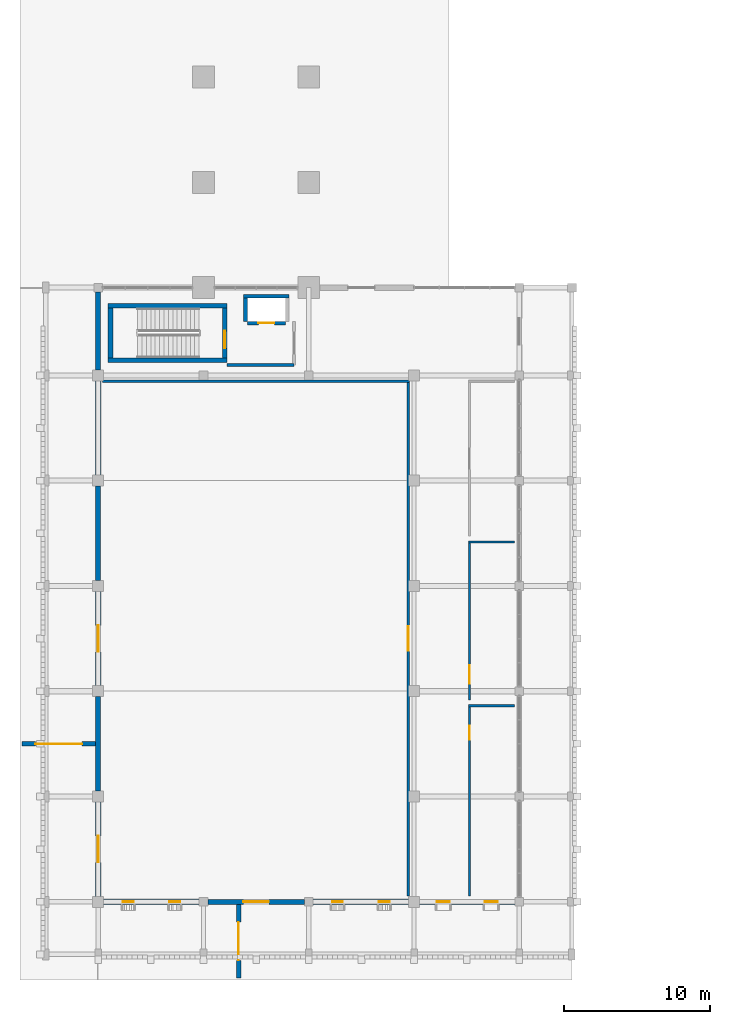
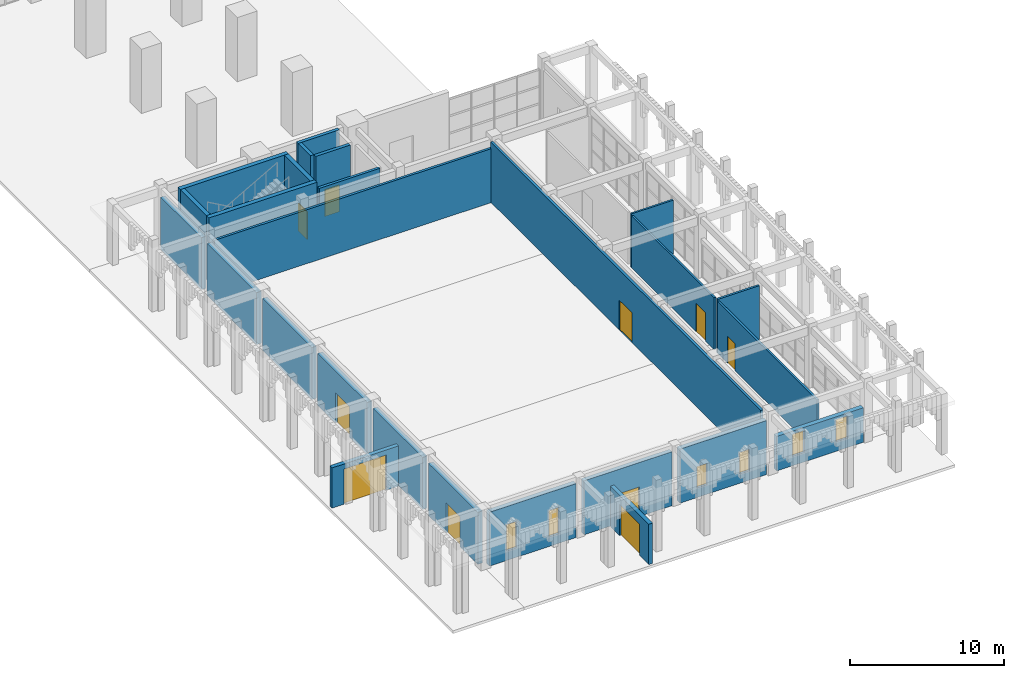
# One storey, part 35 of 72: 26 walls, 10 doors, 6 windows, 16 openings.
"""IFC4 building model written with IfcOpenShell, lengths in metres."""

import ifcopenshell
import ifcopenshell.guid

model = None  # the IFC model being written
_history = None  # IfcOwnerHistory: only IFC2X3 demands one
_inside = {}  # id of a spatial element -> (the spatial element, [elements in it])
_under = {}  # id of a project, library or spatial element -> (it, [spatial elements below it])
_declared = {}  # id of a project -> (the project, [libraries it declares])
_typed = {}  # id of a type object -> (the type object, [elements of that type])
_made_of = {}  # id of a material, layer set ... -> (it, [elements and type objects made of it])


def new_model(schema):
    """Start an empty IFC model of exactly this schema.

    Asked for "IFC4X3", IfcOpenShell would pick the latest addendum, in which some entities
    have other attributes; the version numbers below select the first issue.
    IFC2X3 requires an IfcOwnerHistory on every rooted entity: one is made here for all.
    """
    global model, _history
    if schema == "IFC4X3":
        model = ifcopenshell.file(schema_version=(4, 3, 0, 0))
    else:
        model = ifcopenshell.file(schema=schema)
    _inside.clear()
    _under.clear()
    _declared.clear()
    _typed.clear()
    _made_of.clear()
    _history = None
    if model.schema == "IFC2X3":
        org = make("IfcOrganization", Name="unknown")
        user = make(
            "IfcPersonAndOrganization",
            ThePerson=make("IfcPerson", FamilyName="unknown"),
            TheOrganization=org,
        )
        app = make(
            "IfcApplication",
            ApplicationDeveloper=org,
            Version="unknown",
            ApplicationFullName="unknown",
            ApplicationIdentifier="unknown",
        )
        _history = make(
            "IfcOwnerHistory",
            OwningUser=user,
            OwningApplication=app,
            ChangeAction="ADDED",
            CreationDate=0,
        )
    return model


def make(cls, **values):
    """One entity of the class cls with the attributes given. An attribute that is None is left unset."""
    return model.create_entity(
        cls, **{name: value for name, value in values.items() if value is not None}
    )


def rooted(cls, **values):
    """An entity with a GlobalId (a new one), such as an element, a storey or a relation."""
    return make(cls, GlobalId=ifcopenshell.guid.new(), OwnerHistory=_history, **values)


def si_unit(unit_type, name, prefix=None):
    """IfcSIUnit, for example si_unit("LENGTHUNIT", "METRE", prefix="MILLI")."""
    return make("IfcSIUnit", UnitType=unit_type, Prefix=prefix, Name=name)


def assignment(units):
    """IfcUnitAssignment: the units of a project."""
    return None if units is None else make("IfcUnitAssignment", Units=units)


def point(xyz):
    """IfcCartesianPoint."""
    return None if xyz is None else make("IfcCartesianPoint", Coordinates=xyz)


def direction(xyz):
    """IfcDirection."""
    return None if xyz is None else make("IfcDirection", DirectionRatios=xyz)


def frame(location, z_axis=None, x_axis=None):
    """IfcAxis2Placement3D, a coordinate frame: its origin and axes. An axis left out is left unset."""
    return make(
        "IfcAxis2Placement3D",
        Location=point(location),
        Axis=direction(z_axis),
        RefDirection=direction(x_axis),
    )


def frame_2d(location, x_axis=None):
    """IfcAxis2Placement2D, a coordinate frame in the plane: its origin and x axis."""
    return make(
        "IfcAxis2Placement2D", Location=point(location), RefDirection=direction(x_axis)
    )


def origin():
    """The frame at (0, 0, 0) with its axes left unset."""
    return frame((0.0, 0.0, 0.0))


def place(relative_to, where):
    """IfcLocalPlacement: puts the frame where relative to a parent placement (None: the world)."""
    return make(
        "IfcLocalPlacement", PlacementRelTo=relative_to, RelativePlacement=where
    )


def context(
    kind, dimensions, precision=None, world=None, true_north=None, identifier=None
):
    """IfcGeometricRepresentationContext, for example the 3D "Model" context."""
    return make(
        "IfcGeometricRepresentationContext",
        ContextIdentifier=identifier,
        ContextType=kind,
        CoordinateSpaceDimension=dimensions,
        Precision=precision,
        WorldCoordinateSystem=world,
        TrueNorth=true_north,
    )


def subcontext(parent, identifier, kind, view, scale=None):
    """IfcGeometricRepresentationSubContext, for example "Body" below "Model"."""
    return make(
        "IfcGeometricRepresentationSubContext",
        ContextIdentifier=identifier,
        ContextType=kind,
        ParentContext=parent,
        TargetScale=scale,
        TargetView=view,
    )


def project(units=None, contexts=None):
    """IfcProject with its units and contexts."""
    return rooted(
        "IfcProject",
        Name="project",
        RepresentationContexts=contexts,
        UnitsInContext=assignment(units),
    )


def spatial(cls, under=None, at=None, **own):
    """A site, building, storey or space (cls), placed at a placement, below another one or the project."""
    s = rooted(cls, ObjectPlacement=at, **own)
    if under is not None:
        _under.setdefault(under.id(), (under, []))[1].append(s)
    return s


def profile(cls, at=None, kind="AREA", **sizes):
    """A parametric profile (cls). Its sizes go by their IFC names, for example OverallWidth=200.0."""
    return make(cls, ProfileType=kind, Position=at, **sizes)


def rectangle(**sizes):
    """IfcRectangleProfileDef."""
    return profile("IfcRectangleProfileDef", **sizes)


def extrude(swept, where, along, depth):
    """IfcExtrudedAreaSolid: the profile swept, set in the frame where, extruded along a direction by depth."""
    return make(
        "IfcExtrudedAreaSolid",
        SweptArea=swept,
        Position=where,
        ExtrudedDirection=direction(along),
        Depth=depth,
    )


def shape(context_of_items, identifier, shape_type, items):
    """IfcShapeRepresentation: the items that make up one representation, for example the "Body"."""
    return make(
        "IfcShapeRepresentation",
        ContextOfItems=context_of_items,
        RepresentationIdentifier=identifier,
        RepresentationType=shape_type,
        Items=items,
    )


def material(Name=None, Category=None):
    """IfcMaterial."""
    return make("IfcMaterial", Name=Name, Category=Category)


def layer(
    of_material, thickness, ventilated=None, Name=None, Category=None, Priority=None
):
    """IfcMaterialLayer: one layer of a wall or slab, of a material (None: an air gap)."""
    return make(
        "IfcMaterialLayer",
        Material=of_material,
        LayerThickness=thickness,
        IsVentilated=ventilated,
        Name=Name,
        Category=Category,
        Priority=Priority,
    )


def layer_set(layers, Name=None):
    """IfcMaterialLayerSet."""
    return make("IfcMaterialLayerSet", MaterialLayers=layers, LayerSetName=Name)


def made_of(thing, what):
    """Note that an element or type object is made of a material, layer set ...; save() writes the relation."""
    if what is not None:
        _made_of.setdefault(what.id(), (what, []))[1].append(thing)
    return thing


def type_object(cls, material=None, **own):
    """A type object (cls), such as IfcWallType, which elements share."""
    return made_of(rooted(cls, **own), material)


def element(
    cls,
    number,
    at=None,
    inside=None,
    cuts=None,
    type_object=None,
    material=None,
    context=None,
    identifier="Body",
    shape_type=None,
    held_by="IfcProductDefinitionShape",
    body=None,
    shapes=None,
    **own,
):
    """One element of the class cls, such as IfcWall. Its Tag is "e" and its number.

    at: its placement. inside: the storey or other place that contains it. cuts: it is an
    opening in that element (IfcRelVoidsElement). A single representation is given by context,
    identifier, shape_type and body (its items); several are given by shapes. held_by: the class
    of the entity that holds the representations. save() writes the other relations.
    """
    e = rooted(cls, Tag="e%d" % number, ObjectPlacement=at, **own)
    if body is not None:
        shapes = [shape(context, identifier, shape_type, body)]
    if shapes is not None:
        e.Representation = make(held_by, Representations=shapes)
    if inside is not None:
        _inside.setdefault(inside.id(), (inside, []))[1].append(e)
    if cuts is not None:
        rooted(
            "IfcRelVoidsElement", RelatingBuildingElement=cuts, RelatedOpeningElement=e
        )
    if type_object is not None:
        _typed.setdefault(type_object.id(), (type_object, []))[1].append(e)
    return made_of(e, material)


def fill(opening, filler):
    """IfcRelFillsElement: the door or window that sits in an opening."""
    return rooted(
        "IfcRelFillsElement",
        RelatingOpeningElement=opening,
        RelatedBuildingElement=filler,
    )


def aggregate(whole, parts):
    """IfcRelAggregates: a whole, such as a stair, and the parts it consists of."""
    return rooted("IfcRelAggregates", RelatingObject=whole, RelatedObjects=parts)


def save(model, path):
    """Write the relations noted so far, then the file.

    IfcRelAggregates (storeys below a building ...), IfcRelContainedInSpatialStructure (elements
    in a storey), IfcRelDefinesByType, IfcRelAssociatesMaterial and IfcRelDeclares: one each for
    every whole, place, type object, material and project.
    """
    for whole, parts in _under.values():
        aggregate(whole, parts)
    for where, things in _inside.values():
        rooted(
            "IfcRelContainedInSpatialStructure",
            RelatedElements=things,
            RelatingStructure=where,
        )
    for kind, things in _typed.values():
        rooted("IfcRelDefinesByType", RelatedObjects=things, RelatingType=kind)
    for what, things in _made_of.values():
        rooted("IfcRelAssociatesMaterial", RelatedObjects=things, RelatingMaterial=what)
    for by, libraries in _declared.values():
        rooted("IfcRelDeclares", RelatingContext=by, RelatedDefinitions=libraries)
    model.write(path)


model = new_model("IFC4")

# Units and contexts
model_context = context("Model", 3, precision=1e-05, world=origin(), true_north=direction((0.0, 1.0)))
body_context = subcontext(model_context, "Body", "Model", "MODEL_VIEW")
ifc_project = project(units=[si_unit("LENGTHUNIT", "METRE"), si_unit("AREAUNIT", "SQUARE_METRE"), si_unit("VOLUMEUNIT", "CUBIC_METRE"), si_unit("PLANEANGLEUNIT", "RADIAN"), si_unit("MASSUNIT", "GRAM", prefix="KILO")], contexts=[model_context])

# Site, building, storey
site_placement = place(None, origin())
site = spatial("IfcSite", under=ifc_project, at=site_placement, CompositionType="ELEMENT")
building_placement = place(site_placement, origin())
building = spatial("IfcBuilding", under=site, at=building_placement, Name="Nzembalo Square Collegiate School", CompositionType="ELEMENT")
storey_placement = place(building_placement, origin())
storey = spatial("IfcBuildingStorey", under=building, at=storey_placement, Name="L00", CompositionType="ELEMENT", Elevation=0.0)

# Walls
ifc_material_1 = material(Name="Concrete C40/50", Category="concrete")
ifc_layer_1 = layer(ifc_material_1, 0.320068359375, Name="Concrete C40/50")
ifc_layer_set_1 = layer_set([ifc_layer_1], Name="Concrete C40/50")
wall_type_1 = type_object("IfcWallType", Name="SW01", PredefinedType="SHEAR", material=ifc_layer_set_1)
wall_1_placement = place(storey_placement, frame((9.239990234375, 45.60009765625, 0.0), z_axis=(0.0, 0.0, 1.0), x_axis=(0.0, 1.0, 0.0)))
element("IfcWall", 1, at=wall_1_placement, inside=storey, type_object=wall_type_1, Name="Core C1 stair shear wall W L00", PredefinedType="SHEAR", context=body_context, shape_type="SweptSolid", body=[
    extrude(rectangle(XDim=3.39990234375, YDim=0.320068359375, at=frame_2d((1.699951171875, 0.0))), origin(), (0.0, 0.0, 1.0), 5.10009765625),
])
for number, where, z_axis, x_axis, name in (
    (2, (9.080078125, 45.43994140625, 0.0), (0.0, 0.0, 1.0), (1.0, 0.0, 0.0), "Core C1 stair shear wall S L00"),
    (3, (9.080078125, 49.159912109375, 0.0), (0.0, 0.0, 1.0), (1.0, 0.0, 0.0), "Core C1 stair shear wall N L00"),
):
    element("IfcWall", number, at=place(storey_placement, frame(where, z_axis=z_axis, x_axis=x_axis)), inside=storey, type_object=wall_type_1, Name=name, PredefinedType="SHEAR", context=body_context, shape_type="SweptSolid", body=[
        extrude(rectangle(XDim=8.139892578125, YDim=0.320068359375, at=frame_2d((4.06982421875, 0.0))), origin(), (0.0, 0.0, 1.0), 5.10009765625),
    ])

# Wall, opening, door
wall_2_placement = place(storey_placement, frame((17.06005859375, 45.60009765625, 0.0), z_axis=(0.0, 0.0, 1.0), x_axis=(0.0, 1.0, 0.0)))
wall_2 = element("IfcWall", 4, at=wall_2_placement, inside=storey, type_object=wall_type_1, Name="Core C1 stair shear wall E L00", PredefinedType="SHEAR", context=body_context, shape_type="SweptSolid", body=[
    extrude(rectangle(XDim=3.39990234375, YDim=0.320068359375, at=frame_2d((1.699951171875, 0.0))), origin(), (0.0, 0.0, 1.0), 5.10009765625),
])
opening_1_placement = place(wall_2_placement, frame((0.64990234375, 0.0, 0.0)))
opening_1 = element("IfcOpeningElement", 5, at=opening_1_placement, cuts=wall_2, Name="Opening FD-003", PredefinedType="OPENING", context=body_context, shape_type="SweptSolid", body=[
    extrude(rectangle(XDim=1.199951171875, YDim=2.199951171875, at=frame_2d((0.60009765625, 1.10009765625))), frame((0.0, 0.169921875, 0.0), z_axis=(0.0, -1.0, 0.0), x_axis=(1.0, 0.0, 0.0)), (0.0, 0.0, 1.0), 0.340087890625),
])
ifc_material_2 = material(Name="Fire-rated steel acoustic door", Category="steel")
door_type_1 = type_object("IfcDoorType", Name="FD01", OperationType="NOTDEFINED", PredefinedType="DOOR", material=ifc_material_2)
door_1_placement = place(opening_1_placement, frame((1.199951171875, 0.0, 0.0), z_axis=(0.0, 0.0, 1.0), x_axis=(-1.0, 0.0, 0.0)))
door_1 = element("IfcDoor", 6, at=door_1_placement, inside=storey, type_object=door_type_1, Name="Stair fire door FD-003", OperationType="SINGLE_SWING_LEFT", OverallHeight=2.199951171875, OverallWidth=1.199951171875, PredefinedType="DOOR", context=body_context, shape_type="SweptSolid", body=[
    extrude(rectangle(XDim=1.199951171875, YDim=2.199951171875, at=frame_2d((0.60009765625, 1.10009765625))), frame((0.0, 0.02490234375, 0.0), z_axis=(0.0, -1.0, 0.0), x_axis=(1.0, 0.0, 0.0)), (0.0, 0.0, 1.0), 0.050048828125),
])
fill(opening_1, door_1)

# Walls
ifc_material_3 = material(Name="Concrete C35/45", Category="concrete")
ifc_layer_2 = layer(ifc_material_3, 0.25, Name="Concrete C35/45")
ifc_layer_set_2 = layer_set([ifc_layer_2], Name="Concrete C35/45")
wall_type_2 = type_object("IfcWallType", Name="SW05", PredefinedType="SHEAR", material=ifc_layer_set_2)
wall_3_placement = place(storey_placement, frame((18.47509765625, 48.10009765625, 0.0), z_axis=(0.0, 0.0, 1.0), x_axis=(0.0, 1.0, 0.0)))
element("IfcWall", 7, at=wall_3_placement, inside=storey, type_object=wall_type_2, Name="Lift LF1 shaft wall W L00", PredefinedType="SHEAR", context=body_context, shape_type="SweptSolid", body=[
    extrude(rectangle(XDim=1.599853515625, YDim=0.25, at=frame_2d((0.7998046875, 0.0))), origin(), (0.0, 0.0, 1.0), 5.10009765625),
])
wall_4_placement = place(storey_placement, frame((18.35009765625, 49.824951171875, 0.0), z_axis=(0.0, 0.0, 1.0), x_axis=(1.0, 0.0, 0.0)))
element("IfcWall", 8, at=wall_4_placement, inside=storey, type_object=wall_type_2, Name="Lift LF1 shaft wall N L00", PredefinedType="SHEAR", context=body_context, shape_type="SweptSolid", body=[
    extrude(rectangle(XDim=3.099853515625, YDim=0.25, at=frame_2d((1.5498046875, 0.0))), origin(), (0.0, 0.0, 1.0), 5.10009765625),
])

# Wall, opening, door
wall_5_placement = place(storey_placement, frame((18.60009765625, 47.97509765625, 0.0), z_axis=(0.0, 0.0, 1.0), x_axis=(1.0, 0.0, 0.0)))
wall_5 = element("IfcWall", 9, at=wall_5_placement, inside=storey, type_object=wall_type_2, Name="Lift LF1 landing front wall L00", PredefinedType="SHEAR", context=body_context, shape_type="SweptSolid", body=[
    extrude(rectangle(XDim=2.599853515625, YDim=0.25, at=frame_2d((1.2998046875, 0.0))), origin(), (0.0, 0.0, 1.0), 5.10009765625),
])
opening_2_placement = place(wall_5_placement, frame((0.75, 0.0, 0.0)))
opening_2 = element("IfcOpeningElement", 10, at=opening_2_placement, cuts=wall_5, Name="Opening LD-LF1-L00", PredefinedType="OPENING", context=body_context, shape_type="SweptSolid", body=[
    extrude(rectangle(XDim=1.10009765625, YDim=2.14990234375, at=frame_2d((0.550048828125, 1.074951171875))), frame((0.0, 0.135009765625, 0.0), z_axis=(0.0, -1.0, 0.0), x_axis=(1.0, 0.0, 0.0)), (0.0, 0.0, 1.0), 0.27001953125),
])
ifc_material_4 = material(Name="Stainless-steel sliding landing door", Category="steel")
door_type_2 = type_object("IfcDoorType", Name="LD01", OperationType="DOUBLE_DOOR_SLIDING", PredefinedType="DOOR", material=ifc_material_4)
door_2_placement = place(opening_2_placement, origin())
door_2 = element("IfcDoor", 11, at=door_2_placement, inside=storey, type_object=door_type_2, Name="Sliding lift landing door LD-LF1-L00", OperationType="DOUBLE_DOOR_SLIDING", OverallHeight=2.14990234375, OverallWidth=1.10009765625, PredefinedType="DOOR", context=body_context, shape_type="SweptSolid", body=[
    extrude(rectangle(XDim=1.10009765625, YDim=2.14990234375, at=frame_2d((0.550048828125, 1.074951171875))), frame((0.0, 0.02490234375, 0.0), z_axis=(0.0, -1.0, 0.0), x_axis=(1.0, 0.0, 0.0)), (0.0, 0.0, 1.0), 0.050048828125),
])
fill(opening_2, door_2)

# Wall, openings, windows
ifc_material_5 = material(Name="Concrete C35/45", Category="concrete")
ifc_layer_3 = layer(ifc_material_5, 0.360107421875, Name="Concrete C35/45")
ifc_layer_set_3 = layer_set([ifc_layer_3], Name="Concrete C35/45")
wall_type_3 = type_object("IfcWallType", Name="W01", PredefinedType="SOLIDWALL", material=ifc_layer_set_3)
wall_6_placement = place(storey_placement, frame((8.777099609375, 8.39990234375, 0.0), z_axis=(0.0, 0.0, 1.0), x_axis=(1.0, 0.0, 0.0)))
wall_6 = element("IfcWall", 12, at=wall_6_placement, inside=storey, type_object=wall_type_3, Name="Exterior wall W01 L00", PredefinedType="SOLIDWALL", context=body_context, shape_type="SweptSolid", body=[
    extrude(rectangle(XDim=6.52099609375, YDim=0.360107421875, at=frame_2d((3.260498046875, 0.0))), origin(), (0.0, 0.0, 1.0), 4.283935546875),
])
opening_3_placement = place(wall_6_placement, frame((1.28759765625, 0.0, 0.75)))
opening_3 = element("IfcOpeningElement", 13, at=opening_3_placement, cuts=wall_6, Name="Opening WN-L00-001", PredefinedType="OPENING", context=body_context, shape_type="SweptSolid", body=[
    extrude(rectangle(XDim=0.75, YDim=2.10009765625, at=frame_2d((0.375, 1.050048828125))), frame((0.0, 0.18994140625, 0.0), z_axis=(0.0, -1.0, 0.0), x_axis=(1.0, 0.0, 0.0)), (0.0, 0.0, 1.0), 0.380126953125),
])
opening_4_placement = place(wall_6_placement, frame((4.483154296875, 0.0, 0.75)))
opening_4 = element("IfcOpeningElement", 14, at=opening_4_placement, cuts=wall_6, Name="Opening WN-L00-002", PredefinedType="OPENING", context=body_context, shape_type="SweptSolid", body=[
    extrude(rectangle(XDim=0.75, YDim=2.10009765625, at=frame_2d((0.375, 1.050048828125))), frame((0.0, 0.18994140625, 0.0), z_axis=(0.0, -1.0, 0.0), x_axis=(1.0, 0.0, 0.0)), (0.0, 0.0, 1.0), 0.380126953125),
])
ifc_material_6 = material(Name="Powder-coated aluminium and low-E double glazing", Category="aluminium")
window_type_1 = type_object("IfcWindowType", Name="WN02", PartitioningType="SINGLE_PANEL", PredefinedType="WINDOW", material=ifc_material_6)
window_1_placement = place(opening_3_placement, origin())
window_1 = element("IfcWindow", 15, at=window_1_placement, inside=storey, type_object=window_type_1, Name="Lancet window WN-L00-001", OverallHeight=2.10009765625, OverallWidth=0.75, PartitioningType="SINGLE_PANEL", PredefinedType="WINDOW", context=body_context, shape_type="SweptSolid", body=[
    extrude(rectangle(XDim=0.75, YDim=2.10009765625, at=frame_2d((0.375, 1.050048828125))), frame((0.0, 0.030029296875, 0.0), z_axis=(0.0, -1.0, 0.0), x_axis=(1.0, 0.0, 0.0)), (0.0, 0.0, 1.0), 0.06005859375),
])
fill(opening_3, window_1)
window_2_placement = place(opening_4_placement, origin())
window_2 = element("IfcWindow", 16, at=window_2_placement, inside=storey, type_object=window_type_1, Name="Lancet window WN-L00-002", OverallHeight=2.10009765625, OverallWidth=0.75, PartitioningType="SINGLE_PANEL", PredefinedType="WINDOW", context=body_context, shape_type="SweptSolid", body=[
    extrude(rectangle(XDim=0.75, YDim=2.10009765625, at=frame_2d((0.375, 1.050048828125))), frame((0.0, 0.030029296875, 0.0), z_axis=(0.0, -1.0, 0.0), x_axis=(1.0, 0.0, 0.0)), (0.0, 0.0, 1.0), 0.06005859375),
])
fill(opening_4, window_2)

wall_7_placement = place(storey_placement, frame((23.10205078125, 8.39990234375, 0.0), z_axis=(0.0, 0.0, 1.0), x_axis=(1.0, 0.0, 0.0)))
wall_7 = element("IfcWall", 17, at=wall_7_placement, inside=storey, type_object=wall_type_3, Name="Exterior wall W01 L00", PredefinedType="SOLIDWALL", context=body_context, shape_type="SweptSolid", body=[
    extrude(rectangle(XDim=6.52099609375, YDim=0.360107421875, at=frame_2d((3.260498046875, 0.0))), origin(), (0.0, 0.0, 1.0), 4.283935546875),
])
opening_5_placement = place(wall_7_placement, frame((1.28759765625, 0.0, 0.75)))
opening_5 = element("IfcOpeningElement", 18, at=opening_5_placement, cuts=wall_7, Name="Opening WN-L00-003", PredefinedType="OPENING", context=body_context, shape_type="SweptSolid", body=[
    extrude(rectangle(XDim=0.75, YDim=1.699951171875, at=frame_2d((0.375, 0.85009765625))), frame((0.0, 0.18994140625, 0.0), z_axis=(0.0, -1.0, 0.0), x_axis=(1.0, 0.0, 0.0)), (0.0, 0.0, 1.0), 0.380126953125),
])
opening_6_placement = place(wall_7_placement, frame((4.483154296875, 0.0, 0.75)))
opening_6 = element("IfcOpeningElement", 19, at=opening_6_placement, cuts=wall_7, Name="Opening WN-L00-004", PredefinedType="OPENING", context=body_context, shape_type="SweptSolid", body=[
    extrude(rectangle(XDim=0.75, YDim=1.699951171875, at=frame_2d((0.375, 0.85009765625))), frame((0.0, 0.18994140625, 0.0), z_axis=(0.0, -1.0, 0.0), x_axis=(1.0, 0.0, 0.0)), (0.0, 0.0, 1.0), 0.380126953125),
])
ifc_material_7 = material(Name="Powder-coated aluminium and low-E double glazing", Category="aluminium")
window_type_2 = type_object("IfcWindowType", Name="WN04", PartitioningType="SINGLE_PANEL", PredefinedType="WINDOW", material=ifc_material_7)
window_3_placement = place(opening_5_placement, origin())
window_3 = element("IfcWindow", 20, at=window_3_placement, inside=storey, type_object=window_type_2, Name="Lancet window WN-L00-003", OverallHeight=1.699951171875, OverallWidth=0.75, PartitioningType="SINGLE_PANEL", PredefinedType="WINDOW", context=body_context, shape_type="SweptSolid", body=[
    extrude(rectangle(XDim=0.75, YDim=1.699951171875, at=frame_2d((0.375, 0.85009765625))), frame((0.0, 0.030029296875, 0.0), z_axis=(0.0, -1.0, 0.0), x_axis=(1.0, 0.0, 0.0)), (0.0, 0.0, 1.0), 0.06005859375),
])
fill(opening_5, window_3)
window_4_placement = place(opening_6_placement, origin())
window_4 = element("IfcWindow", 21, at=window_4_placement, inside=storey, type_object=window_type_2, Name="Lancet window WN-L00-004", OverallHeight=1.699951171875, OverallWidth=0.75, PartitioningType="SINGLE_PANEL", PredefinedType="WINDOW", context=body_context, shape_type="SweptSolid", body=[
    extrude(rectangle(XDim=0.75, YDim=1.699951171875, at=frame_2d((0.375, 0.85009765625))), frame((0.0, 0.030029296875, 0.0), z_axis=(0.0, -1.0, 0.0), x_axis=(1.0, 0.0, 0.0)), (0.0, 0.0, 1.0), 0.06005859375),
])
fill(opening_6, window_4)

# Wall, opening, door
wall_8_placement = place(storey_placement, frame((8.39990234375, 8.777099609375, 0.0), z_axis=(0.0, 0.0, 1.0), x_axis=(0.0, 1.0, 0.0)))
wall_8 = element("IfcWall", 22, at=wall_8_placement, inside=storey, type_object=wall_type_3, Name="Exterior wall W01 L00", PredefinedType="SOLIDWALL", context=body_context, shape_type="SweptSolid", body=[
    extrude(rectangle(XDim=6.44580078125, YDim=0.360107421875, at=frame_2d((3.222900390625, 0.0))), origin(), (0.0, 0.0, 1.0), 4.134033203125),
])
opening_7_placement = place(wall_8_placement, frame((2.322998046875, 0.0, 0.0)))
opening_7 = element("IfcOpeningElement", 23, at=opening_7_placement, cuts=wall_8, Name="Opening E01", PredefinedType="OPENING", context=body_context, shape_type="SweptSolid", body=[
    extrude(rectangle(XDim=1.800048828125, YDim=2.39990234375, at=frame_2d((0.89990234375, 1.199951171875))), frame((0.0, 0.18994140625, 0.0), z_axis=(0.0, -1.0, 0.0), x_axis=(1.0, 0.0, 0.0)), (0.0, 0.0, 1.0), 0.380126953125),
])
ifc_material_8 = material(Name="Powder-coated steel and safety glass", Category="steel")
door_type_3 = type_object("IfcDoorType", Name="ED01", OperationType="DOUBLE_DOOR_SINGLE_SWING", PredefinedType="DOOR", material=ifc_material_8)
door_3_placement = place(opening_7_placement, origin())
door_3 = element("IfcDoor", 24, at=door_3_placement, inside=storey, type_object=door_type_3, Name="Exterior door E01", OperationType="DOUBLE_DOOR_SINGLE_SWING", OverallHeight=2.39990234375, OverallWidth=1.800048828125, PredefinedType="DOOR", context=body_context, shape_type="SweptSolid", body=[
    extrude(rectangle(XDim=1.800048828125, YDim=2.39990234375, at=frame_2d((0.89990234375, 1.199951171875))), frame((0.0, 0.02490234375, 0.0), z_axis=(0.0, -1.0, 0.0), x_axis=(1.0, 0.0, 0.0)), (0.0, 0.0, 1.0), 0.050048828125),
])
fill(opening_7, door_3)

wall_9_placement = place(storey_placement, frame((8.39990234375, 23.177001953125, 0.0), z_axis=(0.0, 0.0, 1.0), x_axis=(0.0, 1.0, 0.0)))
wall_9 = element("IfcWall", 25, at=wall_9_placement, inside=storey, type_object=wall_type_3, Name="Exterior wall W01 L00", PredefinedType="SOLIDWALL", context=body_context, shape_type="SweptSolid", body=[
    extrude(rectangle(XDim=6.446044921875, YDim=0.360107421875, at=frame_2d((3.22314453125, 0.0))), origin(), (0.0, 0.0, 1.0), 4.134033203125),
])
opening_8_placement = place(wall_9_placement, frame((2.322998046875, 0.0, 0.0)))
opening_8 = element("IfcOpeningElement", 26, at=opening_8_placement, cuts=wall_9, Name="Opening E02", PredefinedType="OPENING", context=body_context, shape_type="SweptSolid", body=[
    extrude(rectangle(XDim=1.800048828125, YDim=2.39990234375, at=frame_2d((0.89990234375, 1.199951171875))), frame((0.0, 0.18994140625, 0.0), z_axis=(0.0, -1.0, 0.0), x_axis=(1.0, 0.0, 0.0)), (0.0, 0.0, 1.0), 0.380126953125),
])
door_4_placement = place(opening_8_placement, origin())
door_4 = element("IfcDoor", 27, at=door_4_placement, inside=storey, type_object=door_type_3, Name="Exterior door E02", OperationType="DOUBLE_DOOR_SINGLE_SWING", OverallHeight=2.39990234375, OverallWidth=1.800048828125, PredefinedType="DOOR", context=body_context, shape_type="SweptSolid", body=[
    extrude(rectangle(XDim=1.800048828125, YDim=2.39990234375, at=frame_2d((0.89990234375, 1.199951171875))), frame((0.0, 0.02490234375, 0.0), z_axis=(0.0, -1.0, 0.0), x_axis=(1.0, 0.0, 0.0)), (0.0, 0.0, 1.0), 0.050048828125),
])
fill(opening_8, door_4)

# Wall
wall_10_placement = place(storey_placement, frame((8.39990234375, 37.576904296875, 0.0), z_axis=(0.0, 0.0, 1.0), x_axis=(0.0, 1.0, 0.0)))
element("IfcWall", 28, at=wall_10_placement, inside=storey, type_object=wall_type_3, Name="Exterior wall W01 L00", PredefinedType="SOLIDWALL", context=body_context, shape_type="SweptSolid", body=[
    extrude(rectangle(XDim=6.446044921875, YDim=0.360107421875, at=frame_2d((3.22314453125, 0.0))), origin(), (0.0, 0.0, 1.0), 4.134033203125),
])

# Wall, opening, door
ifc_material_9 = material(Name="Concrete C35/45", Category="concrete")
ifc_layer_4 = layer(ifc_material_9, 0.340087890625, Name="Concrete C35/45")
ifc_layer_set_4 = layer_set([ifc_layer_4], Name="Concrete C35/45")
wall_type_4 = type_object("IfcWallType", Name="W02", PredefinedType="SOLIDWALL", material=ifc_layer_set_4)
wall_11_placement = place(storey_placement, frame((15.902099609375, 8.39990234375, 0.0), z_axis=(0.0, 0.0, 1.0), x_axis=(1.0, 0.0, 0.0)))
wall_11 = element("IfcWall", 29, at=wall_11_placement, inside=storey, type_object=wall_type_4, Name="Exterior wall W02 L00", PredefinedType="SOLIDWALL", context=body_context, shape_type="SweptSolid", body=[
    extrude(rectangle(XDim=6.595947265625, YDim=0.340087890625, at=frame_2d((3.2978515625, 0.0))), origin(), (0.0, 0.0, 1.0), 4.283935546875),
])
opening_9_placement = place(wall_11_placement, frame((2.423095703125, 0.0, 0.0)))
opening_9 = element("IfcOpeningElement", 30, at=opening_9_placement, cuts=wall_11, Name="Opening E03", PredefinedType="OPENING", context=body_context, shape_type="SweptSolid", body=[
    extrude(rectangle(XDim=1.75, YDim=2.35009765625, at=frame_2d((0.875, 1.175048828125))), frame((0.0, 0.18017578125, 0.0), z_axis=(0.0, -1.0, 0.0), x_axis=(1.0, 0.0, 0.0)), (0.0, 0.0, 1.0), 0.360107421875),
])
ifc_material_10 = material(Name="Powder-coated steel and safety glass", Category="steel")
door_type_4 = type_object("IfcDoorType", Name="ED04", OperationType="DOUBLE_DOOR_SINGLE_SWING", PredefinedType="DOOR", material=ifc_material_10)
door_5_placement = place(opening_9_placement, frame((1.75, 0.0, 0.0), z_axis=(0.0, 0.0, 1.0), x_axis=(-1.0, 0.0, 0.0)))
door_5 = element("IfcDoor", 31, at=door_5_placement, inside=storey, type_object=door_type_4, Name="Exterior door E03", OperationType="DOUBLE_DOOR_SINGLE_SWING", OverallHeight=2.35009765625, OverallWidth=1.75, PredefinedType="DOOR", context=body_context, shape_type="SweptSolid", body=[
    extrude(rectangle(XDim=1.75, YDim=2.35009765625, at=frame_2d((0.875, 1.175048828125))), frame((0.0, 0.02490234375, 0.0), z_axis=(0.0, -1.0, 0.0), x_axis=(1.0, 0.0, 0.0)), (0.0, 0.0, 1.0), 0.050048828125),
])
fill(opening_9, door_5)

# Wall, openings, windows
wall_12_placement = place(storey_placement, frame((30.376953125, 8.39990234375, 0.0), z_axis=(0.0, 0.0, 1.0), x_axis=(1.0, 0.0, 0.0)))
wall_12 = element("IfcWall", 32, at=wall_12_placement, inside=storey, type_object=wall_type_4, Name="Exterior wall W02 L00", PredefinedType="SOLIDWALL", context=body_context, shape_type="SweptSolid", body=[
    extrude(rectangle(XDim=6.52099609375, YDim=0.340087890625, at=frame_2d((3.260498046875, 0.0))), origin(), (0.0, 0.0, 1.0), 2.743896484375),
])
opening_10_placement = place(wall_12_placement, frame((1.17529296875, 0.0, 0.75)))
opening_10 = element("IfcOpeningElement", 33, at=opening_10_placement, cuts=wall_12, Name="Opening WN-L00-008", PredefinedType="OPENING", context=body_context, shape_type="SweptSolid", body=[
    extrude(rectangle(XDim=0.89990234375, YDim=1.75, at=frame_2d((0.449951171875, 0.875))), frame((0.0, 0.18017578125, 0.0), z_axis=(0.0, -1.0, 0.0), x_axis=(1.0, 0.0, 0.0)), (0.0, 0.0, 1.0), 0.360107421875),
])
opening_11_placement = place(wall_12_placement, frame((4.44580078125, 0.0, 0.75)))
opening_11 = element("IfcOpeningElement", 34, at=opening_11_placement, cuts=wall_12, Name="Opening WN-L00-009", PredefinedType="OPENING", context=body_context, shape_type="SweptSolid", body=[
    extrude(rectangle(XDim=0.89990234375, YDim=1.75, at=frame_2d((0.449951171875, 0.875))), frame((0.0, 0.18017578125, 0.0), z_axis=(0.0, -1.0, 0.0), x_axis=(1.0, 0.0, 0.0)), (0.0, 0.0, 1.0), 0.360107421875),
])
ifc_material_11 = material(Name="Powder-coated aluminium and low-E double glazing", Category="aluminium")
window_type_3 = type_object("IfcWindowType", Name="WN09", PartitioningType="SINGLE_PANEL", PredefinedType="WINDOW", material=ifc_material_11)
window_5_placement = place(opening_10_placement, origin())
window_5 = element("IfcWindow", 35, at=window_5_placement, inside=storey, type_object=window_type_3, Name="Lancet window WN-L00-008", OverallHeight=1.75, OverallWidth=0.89990234375, PartitioningType="SINGLE_PANEL", PredefinedType="WINDOW", context=body_context, shape_type="SweptSolid", body=[
    extrude(rectangle(XDim=0.89990234375, YDim=1.75, at=frame_2d((0.449951171875, 0.875))), frame((0.0, 0.030029296875, 0.0), z_axis=(0.0, -1.0, 0.0), x_axis=(1.0, 0.0, 0.0)), (0.0, 0.0, 1.0), 0.06005859375),
])
fill(opening_10, window_5)
window_6_placement = place(opening_11_placement, origin())
window_6 = element("IfcWindow", 36, at=window_6_placement, inside=storey, type_object=window_type_3, Name="Lancet window WN-L00-009", OverallHeight=1.75, OverallWidth=0.89990234375, PartitioningType="SINGLE_PANEL", PredefinedType="WINDOW", context=body_context, shape_type="SweptSolid", body=[
    extrude(rectangle(XDim=0.89990234375, YDim=1.75, at=frame_2d((0.449951171875, 0.875))), frame((0.0, 0.030029296875, 0.0), z_axis=(0.0, -1.0, 0.0), x_axis=(1.0, 0.0, 0.0)), (0.0, 0.0, 1.0), 0.06005859375),
])
fill(opening_11, window_6)

# Walls
for number, where, z_axis, x_axis, name in (
    (37, (8.39990234375, 15.97705078125, 0.0), (0.0, 0.0, 1.0), (0.0, 1.0, 0.0), "Exterior wall W02 L00"),
    (38, (8.39990234375, 30.376953125, 0.0), (0.0, 0.0, 1.0), (0.0, 1.0, 0.0), "Exterior wall W02 L00"),
):
    element("IfcWall", number, at=place(storey_placement, frame(where, z_axis=z_axis, x_axis=x_axis)), inside=storey, type_object=wall_type_4, Name=name, PredefinedType="SOLIDWALL", context=body_context, shape_type="SweptSolid", body=[
        extrude(rectangle(XDim=6.446044921875, YDim=0.340087890625, at=frame_2d((3.22314453125, 0.0))), origin(), (0.0, 0.0, 1.0), 4.134033203125),
    ])
wall_13_placement = place(storey_placement, frame((8.39990234375, 44.777099609375, 0.0), z_axis=(0.0, 0.0, 1.0), x_axis=(0.0, 1.0, 0.0)))
element("IfcWall", 39, at=wall_13_placement, inside=storey, type_object=wall_type_4, Name="Exterior wall W02 L00", PredefinedType="SOLIDWALL", context=body_context, shape_type="SweptSolid", body=[
    extrude(rectangle(XDim=5.32080078125, YDim=0.340087890625, at=frame_2d((2.660400390625, 0.0))), origin(), (0.0, 0.0, 1.0), 4.134033203125),
])

# Wall, opening, door
ifc_material_12 = material(Name="Concrete C35/45", Category="concrete")
ifc_layer_5 = layer(ifc_material_12, 0.300048828125, Name="Concrete C35/45")
ifc_layer_set_5 = layer_set([ifc_layer_5], Name="Concrete C35/45")
wall_type_5 = type_object("IfcWallType", Name="W04", PredefinedType="SOLIDWALL", material=ifc_layer_set_5)
wall_14_placement = place(storey_placement, frame((3.199951171875, 19.199951171875, 0.0), z_axis=(0.0, 0.0, 1.0), x_axis=(1.0, 0.0, 0.0)))
wall_14 = element("IfcWall", 40, at=wall_14_placement, inside=storey, type_object=wall_type_5, Name="Portal screen wall VG-01", PredefinedType="SOLIDWALL", context=body_context, shape_type="SweptSolid", body=[
    extrude(rectangle(XDim=5.0, YDim=0.300048828125, at=frame_2d((2.5, 0.0))), origin(), (0.0, 0.0, 1.0), 3.199951171875),
])
opening_12_placement = place(wall_14_placement, frame((0.89990234375, 0.0, 0.0)))
opening_12 = element("IfcOpeningElement", 41, at=opening_12_placement, cuts=wall_14, Name="Opening VG-01", PredefinedType="OPENING", context=body_context, shape_type="SweptSolid", body=[
    extrude(rectangle(XDim=3.199951171875, YDim=2.800048828125, at=frame_2d((1.60009765625, 1.39990234375))), frame((0.0, 0.16015625, 0.0), z_axis=(0.0, -1.0, 0.0), x_axis=(1.0, 0.0, 0.0)), (0.0, 0.0, 1.0), 0.320068359375),
])
ifc_material_13 = material(Name="Powder-coated steel and safety glass", Category="steel")
door_type_5 = type_object("IfcDoorType", Name="VG01", OperationType="DOUBLE_DOOR_SINGLE_SWING", PredefinedType="GATE", material=ifc_material_13)
door_6_placement = place(opening_12_placement, origin())
door_6 = element("IfcDoor", 42, at=door_6_placement, inside=storey, type_object=door_type_5, Name="Service gate VG-01", OperationType="DOUBLE_DOOR_SINGLE_SWING", OverallHeight=2.800048828125, OverallWidth=3.199951171875, PredefinedType="GATE", context=body_context, shape_type="SweptSolid", body=[
    extrude(rectangle(XDim=3.199951171875, YDim=2.800048828125, at=frame_2d((1.60009765625, 1.39990234375))), frame((0.0, 0.02490234375, 0.0), z_axis=(0.0, -1.0, 0.0), x_axis=(1.0, 0.0, 0.0)), (0.0, 0.0, 1.0), 0.050048828125),
])
fill(opening_12, door_6)

wall_15_placement = place(storey_placement, frame((18.0, 3.199951171875, 0.0), z_axis=(0.0, 0.0, 1.0), x_axis=(0.0, 1.0, 0.0)))
wall_15 = element("IfcWall", 43, at=wall_15_placement, inside=storey, type_object=wall_type_5, Name="Portal screen wall VG-03", PredefinedType="SOLIDWALL", context=body_context, shape_type="SweptSolid", body=[
    extrude(rectangle(XDim=5.0, YDim=0.300048828125, at=frame_2d((2.5, 0.0))), origin(), (0.0, 0.0, 1.0), 3.199951171875),
])
opening_13_placement = place(wall_15_placement, frame((1.199951171875, 0.0, 0.0)))
opening_13 = element("IfcOpeningElement", 44, at=opening_13_placement, cuts=wall_15, Name="Opening VG-03", PredefinedType="OPENING", context=body_context, shape_type="SweptSolid", body=[
    extrude(rectangle(XDim=2.60009765625, YDim=2.5, at=frame_2d((1.300048828125, 1.25))), frame((0.0, 0.16015625, 0.0), z_axis=(0.0, -1.0, 0.0), x_axis=(1.0, 0.0, 0.0)), (0.0, 0.0, 1.0), 0.320068359375),
])
ifc_material_14 = material(Name="Powder-coated steel and safety glass", Category="steel")
door_type_6 = type_object("IfcDoorType", Name="VG02", OperationType="DOUBLE_DOOR_SINGLE_SWING", PredefinedType="GATE", material=ifc_material_14)
door_7_placement = place(opening_13_placement, origin())
door_7 = element("IfcDoor", 45, at=door_7_placement, inside=storey, type_object=door_type_6, Name="Service gate VG-03", OperationType="DOUBLE_DOOR_SINGLE_SWING", OverallHeight=2.5, OverallWidth=2.60009765625, PredefinedType="GATE", context=body_context, shape_type="SweptSolid", body=[
    extrude(rectangle(XDim=2.60009765625, YDim=2.5, at=frame_2d((1.300048828125, 1.25))), frame((0.0, 0.02490234375, 0.0), z_axis=(0.0, -1.0, 0.0), x_axis=(1.0, 0.0, 0.0)), (0.0, 0.0, 1.0), 0.050048828125),
])
fill(opening_13, door_7)

# Walls
ifc_material_15 = material(Name="Concrete blockwork C25/30", Category="masonry")
ifc_layer_6 = layer(ifc_material_15, 0.199951171875, Name="Concrete blockwork C25/30")
ifc_layer_set_6 = layer_set([ifc_layer_6], Name="Concrete blockwork C25/30")
wall_type_6 = type_object("IfcWallType", Name="W11", PredefinedType="PARTITIONING", material=ifc_layer_set_6)
wall_16_placement = place(storey_placement, frame((17.219970703125, 45.10009765625, 0.0), z_axis=(0.0, 0.0, 1.0), x_axis=(1.0, 0.0, 0.0)))
element("IfcWall", 46, at=wall_16_placement, inside=storey, type_object=wall_type_6, Name="Core C1 EI 60 lobby wall S L00", PredefinedType="PARTITIONING", context=body_context, shape_type="SweptSolid", body=[
    extrude(rectangle(XDim=4.580078125, YDim=0.199951171875, at=frame_2d((2.2900390625, 0.0))), origin(), (0.0, 0.0, 1.0), 4.77392578125),
])
ifc_material_16 = material(Name="Acoustic double-board stud")
ifc_layer_7 = layer(ifc_material_16, 0.155029296875, Name="Acoustic double-board stud")
ifc_layer_set_7 = layer_set([ifc_layer_7], Name="Acoustic double-board stud")
wall_type_7 = type_object("IfcWallType", Name="W16", PredefinedType="PARTITIONING", material=ifc_layer_set_7)
wall_17_placement = place(storey_placement, frame((33.722412109375, 21.800048828125, 0.0), z_axis=(0.0, 0.0, 1.0), x_axis=(1.0, 0.0, 0.0)))
element("IfcWall", 47, at=wall_17_placement, inside=storey, type_object=wall_type_7, Name="Interior partition W16 L00-020-N", PredefinedType="PARTITIONING", context=body_context, shape_type="SweptSolid", body=[
    extrude(rectangle(XDim=3.155029296875, YDim=0.155029296875, at=frame_2d((1.57763671875, 0.0))), origin(), (0.0, 0.0, 1.0), 4.283935546875),
])

# Wall, opening, door
wall_18_placement = place(storey_placement, frame((33.800048828125, 8.800048828125, 0.0), z_axis=(0.0, 0.0, 1.0), x_axis=(0.0, 1.0, 0.0)))
wall_18 = element("IfcWall", 48, at=wall_18_placement, inside=storey, type_object=wall_type_7, Name="Interior partition W16 L00-020-W", PredefinedType="PARTITIONING", context=body_context, shape_type="SweptSolid", body=[
    extrude(rectangle(XDim=13.0, YDim=0.155029296875, at=frame_2d((6.5, 0.0))), origin(), (0.0, 0.0, 1.0), 4.134033203125),
])
opening_14_placement = place(wall_18_placement, frame((10.676025390625, 0.0, 0.0)))
opening_14 = element("IfcOpeningElement", 49, at=opening_14_placement, cuts=wall_18, Name="Opening D-L00-008", PredefinedType="OPENING", context=body_context, shape_type="SweptSolid", body=[
    extrude(rectangle(XDim=0.9599609375, YDim=2.139892578125, at=frame_2d((0.47998046875, 1.06982421875))), frame((0.0, 0.08740234375, 0.0), z_axis=(0.0, -1.0, 0.0), x_axis=(1.0, 0.0, 0.0)), (0.0, 0.0, 1.0), 0.175048828125),
])
ifc_material_17 = material(Name="Solid timber equipment store door", Category="wood")
door_type_7 = type_object("IfcDoorType", Name="D10", OperationType="NOTDEFINED", PredefinedType="DOOR", material=ifc_material_17)
door_8_placement = place(opening_14_placement, origin())
door_8 = element("IfcDoor", 50, at=door_8_placement, inside=storey, type_object=door_type_7, Name="Interior door D-L00-008 (Sports Equipment Store)", OperationType="SINGLE_SWING_RIGHT", OverallHeight=2.139892578125, OverallWidth=0.9599609375, PredefinedType="DOOR", context=body_context, shape_type="SweptSolid", body=[
    extrude(rectangle(XDim=0.9599609375, YDim=2.139892578125, at=frame_2d((0.47998046875, 1.06982421875))), frame((0.0, 0.02490234375, 0.0), z_axis=(0.0, -1.0, 0.0), x_axis=(1.0, 0.0, 0.0)), (0.0, 0.0, 1.0), 0.050048828125),
])
fill(opening_14, door_8)

# Wall
ifc_material_18 = material(Name="Gypsum plasterboard stud")
ifc_layer_8 = layer(ifc_material_18, 0.139892578125, Name="Gypsum plasterboard stud")
ifc_layer_set_8 = layer_set([ifc_layer_8], Name="Gypsum plasterboard stud")
wall_type_8 = type_object("IfcWallType", Name="W18", PredefinedType="PARTITIONING", material=ifc_layer_set_8)
wall_19_placement = place(storey_placement, frame((33.72998046875, 33.0, 0.0), z_axis=(0.0, 0.0, 1.0), x_axis=(1.0, 0.0, 0.0)))
element("IfcWall", 51, at=wall_19_placement, inside=storey, type_object=wall_type_8, Name="Interior partition W18 L00-021-N", PredefinedType="PARTITIONING", context=body_context, shape_type="SweptSolid", body=[
    extrude(rectangle(XDim=3.14013671875, YDim=0.139892578125, at=frame_2d((1.570068359375, 0.0))), origin(), (0.0, 0.0, 1.0), 4.283935546875),
])

# Wall, opening, door
wall_20_placement = place(storey_placement, frame((33.800048828125, 22.199951171875, 0.0), z_axis=(0.0, 0.0, 1.0), x_axis=(0.0, 1.0, 0.0)))
wall_20 = element("IfcWall", 52, at=wall_20_placement, inside=storey, type_object=wall_type_8, Name="Interior partition W18 L00-021-W", PredefinedType="PARTITIONING", context=body_context, shape_type="SweptSolid", body=[
    extrude(rectangle(XDim=10.800048828125, YDim=0.139892578125, at=frame_2d((5.39990234375, 0.0))), origin(), (0.0, 0.0, 1.0), 4.134033203125),
])
opening_15_placement = place(wall_20_placement, frame((1.114013671875, 0.0, 0.0)))
opening_15 = element("IfcOpeningElement", 53, at=opening_15_placement, cuts=wall_20, Name="Opening D-L00-009", PredefinedType="OPENING", context=body_context, shape_type="SweptSolid", body=[
    extrude(rectangle(XDim=1.260009765625, YDim=2.260009765625, at=frame_2d((0.6298828125, 1.1298828125))), frame((0.0, 0.080078125, 0.0), z_axis=(0.0, -1.0, 0.0), x_axis=(1.0, 0.0, 0.0)), (0.0, 0.0, 1.0), 0.159912109375),
])
ifc_material_19 = material(Name="High-STC acoustic music door")
door_type_8 = type_object("IfcDoorType", Name="D20", OperationType="NOTDEFINED", PredefinedType="DOOR", material=ifc_material_19)
door_9_placement = place(opening_15_placement, origin())
door_9 = element("IfcDoor", 54, at=door_9_placement, inside=storey, type_object=door_type_8, Name="Interior door D-L00-009 (Boys' PE Changing and Shower Suite)", OperationType="SINGLE_SWING_LEFT", OverallHeight=2.260009765625, OverallWidth=1.260009765625, PredefinedType="DOOR", context=body_context, shape_type="SweptSolid", body=[
    extrude(rectangle(XDim=1.260009765625, YDim=2.260009765625, at=frame_2d((0.6298828125, 1.1298828125))), frame((0.0, 0.02490234375, 0.0), z_axis=(0.0, -1.0, 0.0), x_axis=(1.0, 0.0, 0.0)), (0.0, 0.0, 1.0), 0.050048828125),
])
fill(opening_15, door_9)

# Wall
ifc_material_20 = material(Name="High-mass acoustic blockwork", Category="masonry")
ifc_layer_9 = layer(ifc_material_20, 0.18505859375, Name="High-mass acoustic blockwork")
ifc_layer_set_9 = layer_set([ifc_layer_9], Name="High-mass acoustic blockwork")
wall_type_9 = type_object("IfcWallType", Name="W22", PredefinedType="PARTITIONING", material=ifc_layer_set_9)
wall_21_placement = place(storey_placement, frame((8.70751953125, 44.0, 0.0), z_axis=(0.0, 0.0, 1.0), x_axis=(1.0, 0.0, 0.0)))
element("IfcWall", 55, at=wall_21_placement, inside=storey, type_object=wall_type_9, Name="Interior partition W22 L00-017-N", PredefinedType="PARTITIONING", context=body_context, shape_type="SweptSolid", body=[
    extrude(rectangle(XDim=20.98486328125, YDim=0.18505859375, at=frame_2d((10.492431640625, 0.0))), origin(), (0.0, 0.0, 1.0), 4.283935546875),
])

# Wall, opening, door
wall_22_placement = place(storey_placement, frame((29.60009765625, 8.800048828125, 0.0), z_axis=(0.0, 0.0, 1.0), x_axis=(0.0, 1.0, 0.0)))
wall_22 = element("IfcWall", 56, at=wall_22_placement, inside=storey, type_object=wall_type_9, Name="Interior partition W22 L00-017-E", PredefinedType="PARTITIONING", context=body_context, shape_type="SweptSolid", body=[
    extrude(rectangle(XDim=35.199951171875, YDim=0.18505859375, at=frame_2d((17.60009765625, 0.0))), origin(), (0.0, 0.0, 1.0), 4.77392578125),
])
opening_16_placement = place(wall_22_placement, frame((16.760009765625, 0.0, 0.0)))
opening_16 = element("IfcOpeningElement", 57, at=opening_16_placement, cuts=wall_22, Name="Opening D-L00-007", PredefinedType="OPENING", context=body_context, shape_type="SweptSolid", body=[
    extrude(rectangle(XDim=1.679931640625, YDim=2.360107421875, at=frame_2d((0.83984375, 1.18017578125))), frame((0.0, 0.1025390625, 0.0), z_axis=(0.0, -1.0, 0.0), x_axis=(1.0, 0.0, 0.0)), (0.0, 0.0, 1.0), 0.205078125),
])
ifc_material_21 = material(Name="Double-leaf hall assembly door")
door_type_9 = type_object("IfcDoorType", Name="D05", OperationType="DOUBLE_DOOR_SINGLE_SWING", PredefinedType="DOOR", material=ifc_material_21)
door_10_placement = place(opening_16_placement, origin())
door_10 = element("IfcDoor", 58, at=door_10_placement, inside=storey, type_object=door_type_9, Name="Interior door D-L00-007 (Multi-Court Sports Hall)", OperationType="DOUBLE_DOOR_SINGLE_SWING", OverallHeight=2.360107421875, OverallWidth=1.679931640625, PredefinedType="DOOR", context=body_context, shape_type="SweptSolid", body=[
    extrude(rectangle(XDim=1.679931640625, YDim=2.360107421875, at=frame_2d((0.83984375, 1.18017578125))), frame((0.0, 0.02490234375, 0.0), z_axis=(0.0, -1.0, 0.0), x_axis=(1.0, 0.0, 0.0)), (0.0, 0.0, 1.0), 0.050048828125),
])
fill(opening_16, door_10)

save(model, "model.ifc")
